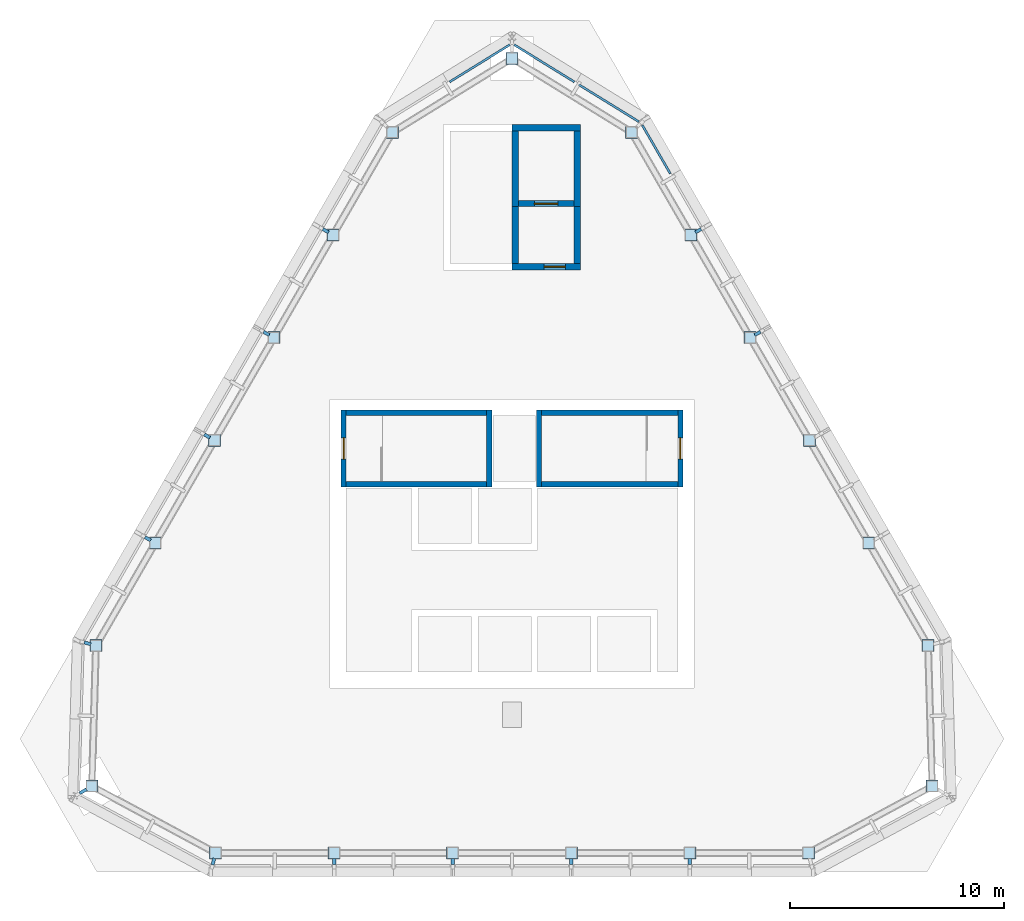
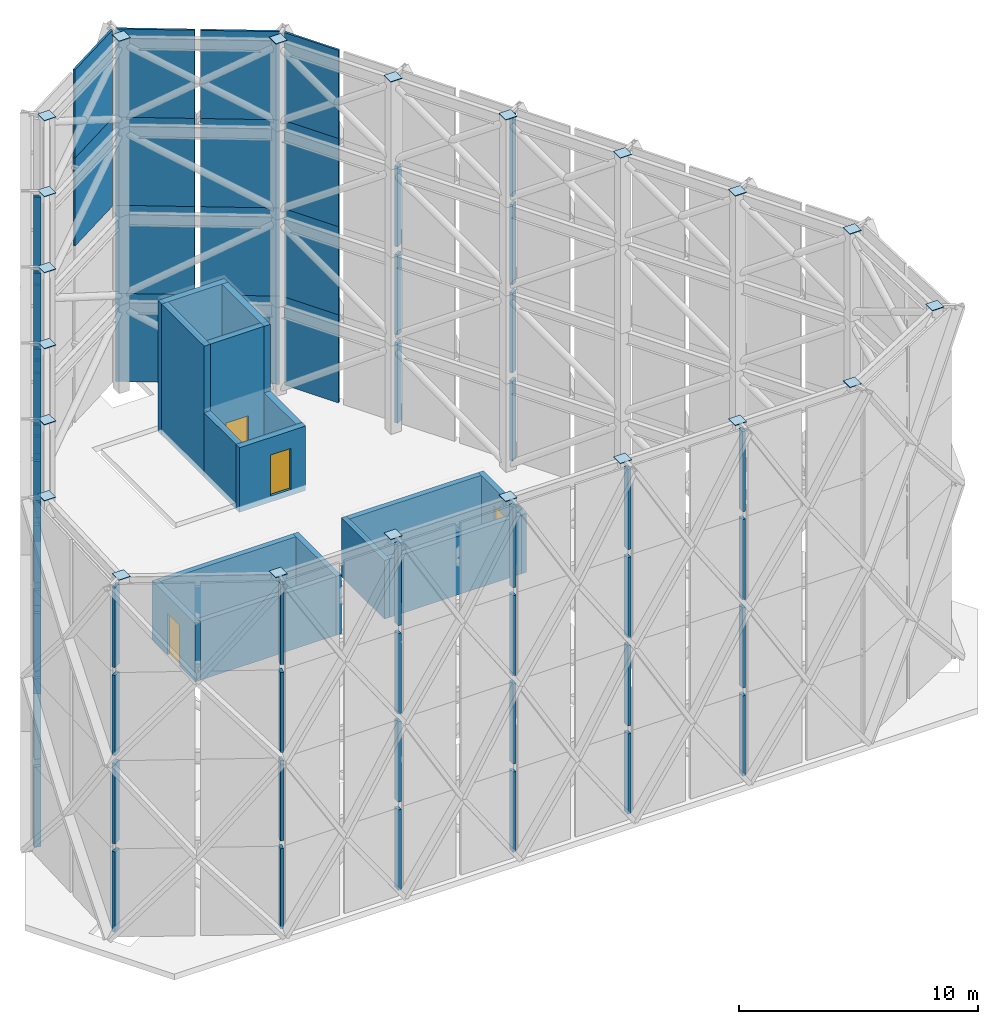
# One storey, part 10 of 12: 51 discrete accessories, 35 plates, 15 walls, 4 doors, 4 openings.
"""IFC4 building model written with IfcOpenShell, lengths in metres."""

from ifc_helpers import new_model, si_unit, direction, frame, frame_2d, origin, origin_2d, place, context, subcontext, project, spatial, polyline, rectangle, outline, extrude, material, layer, layer_set, type_object, element, fill, save


model = new_model("IFC4")

# Units and contexts
model_context = context("Model", 3, precision=1e-05, world=origin(), true_north=direction((0.0, 1.0)))
body_context = subcontext(model_context, "Body", "Model", "MODEL_VIEW")
ifc_project = project(units=[si_unit("LENGTHUNIT", "METRE"), si_unit("AREAUNIT", "SQUARE_METRE"), si_unit("VOLUMEUNIT", "CUBIC_METRE"), si_unit("PLANEANGLEUNIT", "RADIAN"), si_unit("MASSUNIT", "GRAM", prefix="KILO")], contexts=[model_context])

# Site, building, storey
site_placement = place(None, origin())
site = spatial("IfcSite", under=ifc_project, at=site_placement, CompositionType="ELEMENT")
building_placement = place(site_placement, origin())
building = spatial("IfcBuilding", under=site, at=building_placement, Name="Firuza Gate Tower and Library", CompositionType="ELEMENT")
storey_placement = place(building_placement, frame((0.0, 0.0, 339.60009765625)))
storey = spatial("IfcBuildingStorey", under=building, at=storey_placement, Name="Roof", CompositionType="ELEMENT", Elevation=339.60009765625)

# Plates
ifc_material_1 = material(Name="Perforated ceramic tile")
ifc_layer_1 = layer(ifc_material_1, 0.10009765625)
ifc_layer_set_1 = layer_set([ifc_layer_1], Name="Perforated ceramic SCREEN panel")
plate_type_1 = type_object("IfcPlateType", Name="Perforated ceramic SCREEN panel", PredefinedType="SHEET", material=ifc_layer_set_1)
plate_1_placement = place(storey_placement, frame((82.44287109375, 92.32373046875, 0.0), z_axis=(0.865998449813, 0.500046682742, 0.0), x_axis=(-0.500046682742, 0.865998449813, 0.0)))
element("IfcPlate", 1, at=plate_1_placement, inside=storey, type_object=plate_type_1, Name="SCREEN 1.14.2", PredefinedType="SHEET", context=body_context, shape_type="SweptSolid", body=[
    extrude(outline(polyline([(0.0, 0.0), (2.607178454520016, 0.0), (2.607178454520016, 4.5), (0.0, 4.5), (0.0, 0.0)])), origin(), (0.0, 0.0, -1.0), 0.10009765625),
])
for number, where, z_axis, x_axis, name in (
    (2, (80.9599609375, 94.76611328125, 0.0), (0.525098223737, 0.851041629668, 0.0), (-0.851041629668, 0.525098223737, 0.0), "SCREEN 1.15.1"),
    (3, (77.942138671875, 96.628173828125, 0.0), (0.525098223737, 0.851041629668, 0.0), (-0.851041629668, 0.525098223737, 0.0), "SCREEN 1.15.2"),
):
    element("IfcPlate", number, at=place(storey_placement, frame(where, z_axis=z_axis, x_axis=x_axis)), inside=storey, type_object=plate_type_1, Name=name, PredefinedType="SHEET", context=body_context, shape_type="SweptSolid", body=[
        extrude(outline(polyline([(0.0, 0.0), (3.306208069072124, 0.0), (3.306208069072124, 4.5), (0.0, 4.5), (0.0, 0.0)])), origin(), (0.0, 0.0, -1.0), 0.10009765625),
    ])
plate_2_placement = place(storey_placement, frame((82.44287109375, 92.32373046875, 4.5), z_axis=(0.865998449813, 0.500046682742, 0.0), x_axis=(-0.500046682742, 0.865998449813, 0.0)))
element("IfcPlate", 4, at=plate_2_placement, inside=storey, type_object=plate_type_1, Name="SCREEN 2.14.2", PredefinedType="SHEET", context=body_context, shape_type="SweptSolid", body=[
    extrude(outline(polyline([(0.0, 0.0), (2.607178454520016, 0.0), (2.607178454520016, 4.5), (0.0, 4.5), (0.0, 0.0)])), origin(), (0.0, 0.0, -1.0), 0.10009765625),
])
for number, where, z_axis, x_axis, name in (
    (5, (80.9599609375, 94.76611328125, 4.5), (0.525098223737, 0.851041629668, 0.0), (-0.851041629668, 0.525098223737, 0.0), "SCREEN 2.15.1"),
    (6, (77.942138671875, 96.628173828125, 4.5), (0.525098223737, 0.851041629668, 0.0), (-0.851041629668, 0.525098223737, 0.0), "SCREEN 2.15.2"),
):
    element("IfcPlate", number, at=place(storey_placement, frame(where, z_axis=z_axis, x_axis=x_axis)), inside=storey, type_object=plate_type_1, Name=name, PredefinedType="SHEET", context=body_context, shape_type="SweptSolid", body=[
        extrude(outline(polyline([(0.0, 0.0), (3.306208069072124, 0.0), (3.306208069072124, 4.5), (0.0, 4.5), (0.0, 0.0)])), origin(), (0.0, 0.0, -1.0), 0.10009765625),
    ])
plate_3_placement = place(storey_placement, frame((82.44287109375, 92.32373046875, 9.0), z_axis=(0.865998449813, 0.500046682742, 0.0), x_axis=(-0.500046682742, 0.865998449813, 0.0)))
element("IfcPlate", 7, at=plate_3_placement, inside=storey, type_object=plate_type_1, Name="SCREEN 3.14.2", PredefinedType="SHEET", context=body_context, shape_type="SweptSolid", body=[
    extrude(outline(polyline([(0.0, 0.0), (2.607178454520016, 0.0), (2.607178454520016, 4.5), (0.0, 4.5), (0.0, 0.0)])), origin(), (0.0, 0.0, -1.0), 0.10009765625),
])
for number, where, z_axis, x_axis, name in (
    (8, (80.9599609375, 94.76611328125, 9.0), (0.525098223737, 0.851041629668, 0.0), (-0.851041629668, 0.525098223737, 0.0), "SCREEN 3.15.1"),
    (9, (77.942138671875, 96.628173828125, 9.0), (0.525098223737, 0.851041629668, 0.0), (-0.851041629668, 0.525098223737, 0.0), "SCREEN 3.15.2"),
    (10, (74.87158203125, 98.3642578125, 9.0), (-0.525098223737, 0.851041629668, 0.0), (-0.851041629668, -0.525098223737, 0.0), "SCREEN 3.16.1"),
):
    element("IfcPlate", number, at=place(storey_placement, frame(where, z_axis=z_axis, x_axis=x_axis)), inside=storey, type_object=plate_type_1, Name=name, PredefinedType="SHEET", context=body_context, shape_type="SweptSolid", body=[
        extrude(outline(polyline([(0.0, 0.0), (3.306208069072124, 0.0), (3.306208069072124, 4.5), (0.0, 4.5), (0.0, 0.0)])), origin(), (0.0, 0.0, -1.0), 0.10009765625),
    ])
plate_4_placement = place(storey_placement, frame((82.44287109375, 92.32373046875, 13.5), z_axis=(0.865998449813, 0.500046682742, 0.0), x_axis=(-0.500046682742, 0.865998449813, 0.0)))
element("IfcPlate", 11, at=plate_4_placement, inside=storey, type_object=plate_type_1, Name="SCREEN 4.14.2", PredefinedType="SHEET", context=body_context, shape_type="SweptSolid", body=[
    extrude(outline(polyline([(0.0, 0.0), (2.607178454520016, 0.0), (2.607178454520016, 4.5), (0.0, 4.5), (0.0, 0.0)])), origin(), (0.0, 0.0, -1.0), 0.10009765625),
])
for number, where, z_axis, x_axis, name in (
    (12, (80.9599609375, 94.76611328125, 13.5), (0.525098223737, 0.851041629668, 0.0), (-0.851041629668, 0.525098223737, 0.0), "SCREEN 4.15.1"),
    (13, (77.942138671875, 96.628173828125, 13.5), (0.525098223737, 0.851041629668, 0.0), (-0.851041629668, 0.525098223737, 0.0), "SCREEN 4.15.2"),
    (14, (74.87158203125, 98.3642578125, 13.5), (-0.525098223737, 0.851041629668, 0.0), (-0.851041629668, -0.525098223737, 0.0), "SCREEN 4.16.1"),
):
    element("IfcPlate", number, at=place(storey_placement, frame(where, z_axis=z_axis, x_axis=x_axis)), inside=storey, type_object=plate_type_1, Name=name, PredefinedType="SHEET", context=body_context, shape_type="SweptSolid", body=[
        extrude(outline(polyline([(0.0, 0.0), (3.306208069072124, 0.0), (3.306208069072124, 4.5), (0.0, 4.5), (0.0, 0.0)])), origin(), (0.0, 0.0, -1.0), 0.10009765625),
    ])
ifc_material_2 = material(Name="Steel S355", Category="steel")
ifc_layer_2 = layer(ifc_material_2, 0.030029296875)
ifc_layer_set_2 = layer_set([ifc_layer_2], Name="Post end plate 560x560x30 Steel S355")
plate_type_2 = type_object("IfcPlateType", Name="Post end plate 560x560x30 Steel S355", PredefinedType="SHEET", material=ifc_layer_set_2)
for number, where, z_axis, x_axis, name in (
    (15, (55.55078125, 70.22802734375, 18.0), (0.0, 0.0, 1.0), (1.0, 0.0, 0.0), "Post end plate cf:post:W6:3"),
    (16, (55.35888671875, 63.66015625, 18.0), (0.0, 0.0, 1.0), (1.0, 0.0, 0.0), "Post end plate cf:post:mcSW:3"),
    (17, (61.142822265625, 60.54248046875, 18.0), (0.0, 0.0, 1.0), (1.0, 0.0, 0.0), "Post end plate cf:post:S1:3"),
    (18, (66.685791015625, 60.54248046875, 18.0), (0.0, 0.0, 1.0), (1.0, 0.0, 0.0), "Post end plate cf:post:S2:3"),
    (19, (72.228515625, 60.54248046875, 18.0), (0.0, 0.0, 1.0), (1.0, 0.0, 0.0), "Post end plate cf:post:S3:3"),
    (20, (77.771484375, 60.54248046875, 18.0), (0.0, 0.0, 1.0), (1.0, 0.0, 0.0), "Post end plate cf:post:S4:3"),
    (21, (83.314208984375, 60.54248046875, 18.0), (0.0, 0.0, 1.0), (1.0, 0.0, 0.0), "Post end plate cf:post:S5:3"),
    (22, (88.857177734375, 60.54248046875, 18.0), (0.0, 0.0, 1.0), (1.0, 0.0, 0.0), "Post end plate cf:post:S6:3"),
    (23, (94.64111328125, 63.66015625, 18.0), (0.0, 0.0, 1.0), (1.0, 0.0, 0.0), "Post end plate cf:post:mcSE:3"),
    (24, (94.44921875, 70.22802734375, 18.0), (0.0, 0.0, 1.0), (1.0, 0.0, 0.0), "Post end plate cf:post:E1:3"),
    (25, (91.677734375, 75.0283203125, 18.0), (0.0, 0.0, 1.0), (1.0, 0.0, 0.0), "Post end plate cf:post:E2:3"),
    (26, (88.90625, 79.82861328125, 18.0), (0.0, 0.0, 1.0), (1.0, 0.0, 0.0), "Post end plate cf:post:E3:3"),
    (27, (86.134765625, 84.62890625, 18.0), (0.0, 0.0, 1.0), (1.0, 0.0, 0.0), "Post end plate cf:post:E4:3"),
    (28, (83.363525390625, 89.42919921875, 18.0), (0.0, 0.0, 1.0), (1.0, 0.0, 0.0), "Post end plate cf:post:E5:3"),
    (29, (80.592041015625, 94.2294921875, 18.0), (0.0, 0.0, 1.0), (1.0, 0.0, 0.0), "Post end plate cf:post:E6:3"),
    (30, (75.0, 97.6796875, 18.0), (0.0, 0.0, 1.0), (1.0, 0.0, 0.0), "Post end plate cf:post:mcN:3"),
    (31, (69.407958984375, 94.2294921875, 18.0), (0.0, 0.0, 1.0), (1.0, 0.0, 0.0), "Post end plate cf:post:W1:3"),
    (32, (66.636474609375, 89.42919921875, 18.0), (0.0, 0.0, 1.0), (1.0, 0.0, 0.0), "Post end plate cf:post:W2:3"),
    (33, (63.865234375, 84.62890625, 18.0), (0.0, 0.0, 1.0), (1.0, 0.0, 0.0), "Post end plate cf:post:W3:3"),
    (34, (61.09375, 79.82861328125, 18.0), (0.0, 0.0, 1.0), (1.0, 0.0, 0.0), "Post end plate cf:post:W4:3"),
    (35, (58.322265625, 75.0283203125, 18.0), (0.0, 0.0, 1.0), (1.0, 0.0, 0.0), "Post end plate cf:post:W5:3"),
):
    element("IfcPlate", number, at=place(storey_placement, frame(where, z_axis=z_axis, x_axis=x_axis)), inside=storey, type_object=plate_type_2, Name=name, PredefinedType="SHEET", context=body_context, shape_type="SweptSolid", body=[
        extrude(rectangle(XDim=0.56005859375, YDim=0.56005859375, at=origin_2d()), origin(), (0.0, 0.0, 1.0), 0.030029296875),
    ])

# Wall, opening, door
ifc_material_3 = material(Name="Concrete C35/45", Category="concrete")
ifc_layer_3 = layer(ifc_material_3, 0.300048828125)
ifc_layer_set_3 = layer_set([ifc_layer_3], Name="Lift penthouse wall 300")
wall_type_1 = type_object("IfcWallType", Name="Lift penthouse wall 300", PredefinedType="SOLIDWALL", material=ifc_layer_set_3)
wall_1_placement = place(storey_placement, frame((75.0, 87.949951171875, -0.300048828125), z_axis=(0.0, 0.0, 1.0), x_axis=(1.0, 0.0, 0.0)))
wall_1 = element("IfcWall", 36, at=wall_1_placement, inside=storey, type_object=wall_type_1, Name="Roof service lift lobby wall S", PredefinedType="SOLIDWALL", context=body_context, shape_type="SweptSolid", body=[
    extrude(rectangle(XDim=3.199951171875, YDim=0.300048828125, at=frame_2d((1.60009765625, 0.0))), origin(), (0.0, 0.0, 1.0), 3.300048828125),
])
opening_1_placement = place(wall_1_placement, frame((1.5, 0.0, 0.300048828125)))
opening_1 = element("IfcOpeningElement", 37, at=opening_1_placement, cuts=wall_1, Name="Opening HH-SV1", PredefinedType="OPENING", context=body_context, shape_type="SweptSolid", body=[
    extrude(rectangle(XDim=1.0, YDim=2.10009765625, at=frame_2d((0.5, 1.050048828125))), frame((0.0, 0.16015625, 0.0), z_axis=(0.0, -1.0, 0.0), x_axis=(1.0, 0.0, 0.0)), (0.0, 0.0, 1.0), 0.320068359375),
])
ifc_material_4 = material(Name="Steel", Category="steel")
door_type_1 = type_object("IfcDoorType", Name="Fire door 1000x2100 FD90", OperationType="NOTDEFINED", PredefinedType="DOOR", material=ifc_material_4)
door_1_placement = place(opening_1_placement, origin())
door_1 = element("IfcDoor", 38, at=door_1_placement, inside=storey, type_object=door_type_1, Name="Roof service lobby door", OperationType="SINGLE_SWING_RIGHT", OverallHeight=2.10009765625, OverallWidth=1.0, PredefinedType="DOOR", context=body_context, shape_type="SweptSolid", body=[
    extrude(rectangle(XDim=1.0, YDim=2.10009765625, at=frame_2d((0.5, 1.050048828125))), frame((0.0, 0.02490234375, 0.0), z_axis=(0.0, -1.0, 0.0), x_axis=(1.0, 0.0, 0.0)), (0.0, 0.0, 1.0), 0.050048828125),
])
fill(opening_1, door_1)

# Wall
wall_2_placement = place(storey_placement, frame((75.0, 94.449951171875, -0.300048828125), z_axis=(0.0, 0.0, 1.0), x_axis=(1.0, 0.0, 0.0)))
element("IfcWall", 39, at=wall_2_placement, inside=storey, type_object=wall_type_1, Name="Roof service lift penthouse wall N", PredefinedType="SOLIDWALL", context=body_context, shape_type="SweptSolid", body=[
    extrude(rectangle(XDim=3.199951171875, YDim=0.300048828125, at=frame_2d((1.60009765625, 0.0))), origin(), (0.0, 0.0, 1.0), 6.699951171875),
])

# Wall, opening, door
wall_3_placement = place(storey_placement, frame((75.300048828125, 90.89990234375, -0.300048828125), z_axis=(0.0, 0.0, 1.0), x_axis=(1.0, 0.0, 0.0)))
wall_3 = element("IfcWall", 40, at=wall_3_placement, inside=storey, type_object=wall_type_1, Name="Roof service lift penthouse wall M", PredefinedType="SOLIDWALL", context=body_context, shape_type="SweptSolid", body=[
    extrude(rectangle(XDim=2.599853515625, YDim=0.300048828125, at=frame_2d((1.2998046875, 0.0))), origin(), (0.0, 0.0, 1.0), 6.699951171875),
])
opening_2_placement = place(wall_3_placement, frame((0.75, 0.0, 0.300048828125)))
opening_2 = element("IfcOpeningElement", 41, at=opening_2_placement, cuts=wall_3, Name="Opening LD-SV1-Roof", PredefinedType="OPENING", context=body_context, shape_type="SweptSolid", body=[
    extrude(rectangle(XDim=1.10009765625, YDim=2.10009765625, at=frame_2d((0.550048828125, 1.050048828125))), frame((0.0, 0.16015625, 0.0), z_axis=(0.0, -1.0, 0.0), x_axis=(1.0, 0.0, 0.0)), (0.0, 0.0, 1.0), 0.320068359375),
])
ifc_material_5 = material(Name="Stainless steel", Category="steel")
door_type_2 = type_object("IfcDoorType", Name="Lift landing door 1100x2100", OperationType="DOUBLE_DOOR_SLIDING", PredefinedType="DOOR", material=ifc_material_5)
door_2_placement = place(opening_2_placement, origin())
door_2 = element("IfcDoor", 42, at=door_2_placement, inside=storey, type_object=door_type_2, Name="Landing door SV1 Roof", OperationType="DOUBLE_DOOR_SLIDING", OverallHeight=2.10009765625, OverallWidth=1.10009765625, PredefinedType="DOOR", context=body_context, shape_type="SweptSolid", body=[
    extrude(rectangle(XDim=1.10009765625, YDim=2.10009765625, at=frame_2d((0.550048828125, 1.050048828125))), frame((0.0, 0.02490234375, 0.0), z_axis=(0.0, -1.0, 0.0), x_axis=(1.0, 0.0, 0.0)), (0.0, 0.0, 1.0), 0.050048828125),
])
fill(opening_2, door_2)

# Walls
for number, where, z_axis, x_axis, name in (
    (43, (75.14990234375, 88.10009765625, -0.300048828125), (0.0, 0.0, 1.0), (0.0, 1.0, 0.0), "Roof service lift lobby wall WL"),
    (44, (78.050048828125, 88.10009765625, -0.300048828125), (0.0, 0.0, 1.0), (0.0, 1.0, 0.0), "Roof service lift lobby wall EL"),
):
    element("IfcWall", number, at=place(storey_placement, frame(where, z_axis=z_axis, x_axis=x_axis)), inside=storey, type_object=wall_type_1, Name=name, PredefinedType="SOLIDWALL", context=body_context, shape_type="SweptSolid", body=[
        extrude(rectangle(XDim=2.64990234375, YDim=0.300048828125, at=frame_2d((1.324951171875, 0.0))), origin(), (0.0, 0.0, 1.0), 3.300048828125),
    ])
for number, where, z_axis, x_axis, name in (
    (45, (75.14990234375, 90.75, -0.300048828125), (0.0, 0.0, 1.0), (0.0, 1.0, 0.0), "Roof service lift penthouse wall WS"),
    (46, (78.050048828125, 90.75, -0.300048828125), (0.0, 0.0, 1.0), (0.0, 1.0, 0.0), "Roof service lift penthouse wall ES"),
):
    element("IfcWall", number, at=place(storey_placement, frame(where, z_axis=z_axis, x_axis=x_axis)), inside=storey, type_object=wall_type_1, Name=name, PredefinedType="SOLIDWALL", context=body_context, shape_type="SweptSolid", body=[
        extrude(rectangle(XDim=3.550048828125, YDim=0.300048828125, at=frame_2d((1.77490234375, 0.0))), origin(), (0.0, 0.0, 1.0), 6.699951171875),
    ])

# Wall, opening, door
ifc_material_6 = material(Name="Concrete C35/45", Category="concrete")
ifc_layer_4 = layer(ifc_material_6, 0.25)
ifc_layer_set_4 = layer_set([ifc_layer_4], Name="Stair head-house wall 250")
wall_type_2 = type_object("IfcWallType", Name="Stair head-house wall 250", PredefinedType="SOLIDWALL", material=ifc_layer_set_4)
wall_4_placement = place(storey_placement, frame((67.125, 77.64990234375, 0.0), z_axis=(0.0, 0.0, 1.0), x_axis=(0.0, 1.0, 0.0)))
wall_4 = element("IfcWall", 47, at=wall_4_placement, inside=storey, type_object=wall_type_2, Name="Stair ST1 head-house wall W", PredefinedType="SOLIDWALL", context=body_context, shape_type="SweptSolid", body=[
    extrude(rectangle(XDim=3.60009765625, YDim=0.25, at=frame_2d((1.800048828125, 0.0))), origin(), (0.0, 0.0, 1.0), 3.0),
])
opening_3_placement = place(wall_4_placement, frame((1.300048828125, 0.0, 0.0)))
opening_3 = element("IfcOpeningElement", 48, at=opening_3_placement, cuts=wall_4, Name="Opening HH-ST1", PredefinedType="OPENING", context=body_context, shape_type="SweptSolid", body=[
    extrude(rectangle(XDim=1.0, YDim=2.10009765625, at=frame_2d((0.5, 1.050048828125))), frame((0.0, 0.135009765625, 0.0), z_axis=(0.0, -1.0, 0.0), x_axis=(1.0, 0.0, 0.0)), (0.0, 0.0, 1.0), 0.27001953125),
])
door_3_placement = place(opening_3_placement, origin())
door_3 = element("IfcDoor", 49, at=door_3_placement, inside=storey, type_object=door_type_1, Name="Stair ST1 roof door", OperationType="SINGLE_SWING_LEFT", OverallHeight=2.10009765625, OverallWidth=1.0, PredefinedType="DOOR", context=body_context, shape_type="SweptSolid", body=[
    extrude(rectangle(XDim=1.0, YDim=2.10009765625, at=frame_2d((0.5, 1.050048828125))), frame((0.0, 0.02490234375, 0.0), z_axis=(0.0, -1.0, 0.0), x_axis=(1.0, 0.0, 0.0)), (0.0, 0.0, 1.0), 0.050048828125),
])
fill(opening_3, door_3)

# Walls
wall_5_placement = place(storey_placement, frame((73.93505859375, 77.64990234375, 0.0), z_axis=(0.0, 0.0, 1.0), x_axis=(0.0, 1.0, 0.0)))
element("IfcWall", 50, at=wall_5_placement, inside=storey, type_object=wall_type_2, Name="Stair ST1 head-house wall E", PredefinedType="SOLIDWALL", context=body_context, shape_type="SweptSolid", body=[
    extrude(rectangle(XDim=3.60009765625, YDim=0.25, at=frame_2d((1.800048828125, 0.0))), origin(), (0.0, 0.0, 1.0), 3.0),
])
for number, where, z_axis, x_axis, name in (
    (51, (67.25, 77.77490234375, 0.0), (0.0, 0.0, 1.0), (1.0, 0.0, 0.0), "Stair ST1 head-house wall S"),
    (52, (67.25, 81.125, 0.0), (0.0, 0.0, 1.0), (1.0, 0.0, 0.0), "Stair ST1 head-house wall N"),
):
    element("IfcWall", number, at=place(storey_placement, frame(where, z_axis=z_axis, x_axis=x_axis)), inside=storey, type_object=wall_type_2, Name=name, PredefinedType="SOLIDWALL", context=body_context, shape_type="SweptSolid", body=[
        extrude(rectangle(XDim=6.56005859375, YDim=0.25, at=frame_2d((3.280029296875, 0.0))), origin(), (0.0, 0.0, 1.0), 3.0),
    ])
wall_6_placement = place(storey_placement, frame((76.264892578125, 77.64990234375, 0.0), z_axis=(0.0, 0.0, 1.0), x_axis=(0.0, 1.0, 0.0)))
element("IfcWall", 53, at=wall_6_placement, inside=storey, type_object=wall_type_2, Name="Stair ST2 head-house wall W", PredefinedType="SOLIDWALL", context=body_context, shape_type="SweptSolid", body=[
    extrude(rectangle(XDim=3.60009765625, YDim=0.25, at=frame_2d((1.800048828125, 0.0))), origin(), (0.0, 0.0, 1.0), 3.0),
])

# Wall, opening, door
wall_7_placement = place(storey_placement, frame((82.875, 77.64990234375, 0.0), z_axis=(0.0, 0.0, 1.0), x_axis=(0.0, 1.0, 0.0)))
wall_7 = element("IfcWall", 54, at=wall_7_placement, inside=storey, type_object=wall_type_2, Name="Stair ST2 head-house wall E", PredefinedType="SOLIDWALL", context=body_context, shape_type="SweptSolid", body=[
    extrude(rectangle(XDim=3.60009765625, YDim=0.25, at=frame_2d((1.800048828125, 0.0))), origin(), (0.0, 0.0, 1.0), 3.0),
])
opening_4_placement = place(wall_7_placement, frame((1.300048828125, 0.0, 0.0)))
opening_4 = element("IfcOpeningElement", 55, at=opening_4_placement, cuts=wall_7, Name="Opening HH-ST2", PredefinedType="OPENING", context=body_context, shape_type="SweptSolid", body=[
    extrude(rectangle(XDim=1.0, YDim=2.10009765625, at=frame_2d((0.5, 1.050048828125))), frame((0.0, 0.135009765625, 0.0), z_axis=(0.0, -1.0, 0.0), x_axis=(1.0, 0.0, 0.0)), (0.0, 0.0, 1.0), 0.27001953125),
])
door_4_placement = place(opening_4_placement, origin())
door_4 = element("IfcDoor", 56, at=door_4_placement, inside=storey, type_object=door_type_1, Name="Stair ST2 roof door", OperationType="SINGLE_SWING_LEFT", OverallHeight=2.10009765625, OverallWidth=1.0, PredefinedType="DOOR", context=body_context, shape_type="SweptSolid", body=[
    extrude(rectangle(XDim=1.0, YDim=2.10009765625, at=frame_2d((0.5, 1.050048828125))), frame((0.0, 0.02490234375, 0.0), z_axis=(0.0, -1.0, 0.0), x_axis=(1.0, 0.0, 0.0)), (0.0, 0.0, 1.0), 0.050048828125),
])
fill(opening_4, door_4)

# Walls
for number, where, z_axis, x_axis, name in (
    (57, (76.389892578125, 77.77490234375, 0.0), (0.0, 0.0, 1.0), (1.0, 0.0, 0.0), "Stair ST2 head-house wall S"),
    (58, (76.389892578125, 81.125, 0.0), (0.0, 0.0, 1.0), (1.0, 0.0, 0.0), "Stair ST2 head-house wall N"),
):
    element("IfcWall", number, at=place(storey_placement, frame(where, z_axis=z_axis, x_axis=x_axis)), inside=storey, type_object=wall_type_2, Name=name, PredefinedType="SOLIDWALL", context=body_context, shape_type="SweptSolid", body=[
        extrude(rectangle(XDim=6.360107421875, YDim=0.25, at=frame_2d((3.18017578125, 0.0))), origin(), (0.0, 0.0, 1.0), 3.0),
    ])

# Discrete accessories
ifc_material_7 = material(Name="Steel S355", Category="steel")
discrete_accessory_type = type_object("IfcDiscreteAccessoryType", Name="Screen bracket", PredefinedType="BRACKET", material=ifc_material_7)
discrete_accessory_1_placement = place(storey_placement, frame((55.1533203125, 70.3408203125, 0.199951171875), z_axis=(0.0, 0.0, 1.0), x_axis=(-0.962040790283, 0.272905694026, 0.0)))
element("IfcDiscreteAccessory", 59, at=discrete_accessory_1_placement, inside=storey, type_object=discrete_accessory_type, Name="Screen bracket 1.1", PredefinedType="BRACKET", context=body_context, shape_type="SweptSolid", body=[
    extrude(rectangle(XDim=0.31103515625, YDim=0.14990234375, at=origin_2d()), origin(), (0.0, 0.0, 1.0), 4.10009765625),
])
discrete_accessory_2_placement = place(storey_placement, frame((54.947998046875, 63.423095703125, 0.199951171875), z_axis=(0.0, 0.0, 1.0), x_axis=(-0.866025368878, -0.50000006046, 0.0)))
element("IfcDiscreteAccessory", 60, at=discrete_accessory_2_placement, inside=storey, type_object=discrete_accessory_type, Name="Screen bracket 1.2", PredefinedType="BRACKET", context=body_context, shape_type="SweptSolid", body=[
    extrude(rectangle(XDim=0.361328125, YDim=0.14990234375, at=origin_2d()), origin(), (0.0, 0.0, 1.0), 4.10009765625),
])
discrete_accessory_3_placement = place(storey_placement, frame((61.041748046875, 60.1416015625, 0.199951171875), z_axis=(0.0, 0.0, 1.0), x_axis=(-0.244677097432, -0.969604619416, 0.0)))
element("IfcDiscreteAccessory", 61, at=discrete_accessory_3_placement, inside=storey, type_object=discrete_accessory_type, Name="Screen bracket 1.3", PredefinedType="BRACKET", context=body_context, shape_type="SweptSolid", body=[
    extrude(rectangle(XDim=0.31103515625, YDim=0.14990234375, at=origin_2d()), origin(), (0.0, 0.0, 1.0), 4.10009765625),
])
for number, where, z_axis, x_axis, name in (
    (62, (66.685791015625, 60.142578125, 0.199951171875), (0.0, 0.0, 1.0), (0.0, -1.0, 0.0), "Screen bracket 1.4"),
    (63, (72.228515625, 60.142578125, 0.199951171875), (0.0, 0.0, 1.0), (0.0, -1.0, 0.0), "Screen bracket 1.5"),
    (64, (77.771484375, 60.142578125, 0.199951171875), (0.0, 0.0, 1.0), (0.0, -1.0, 0.0), "Screen bracket 1.6"),
    (65, (83.314208984375, 60.142578125, 0.199951171875), (0.0, 0.0, 1.0), (0.0, -1.0, 0.0), "Screen bracket 1.7"),
    (66, (86.481201171875, 84.828857421875, 0.199951171875), (0.0, 0.0, 1.0), (0.866025403784, 0.5, 0.0), "Screen bracket 1.13"),
    (67, (83.7099609375, 89.629150390625, 0.199951171875), (0.0, 0.0, 1.0), (0.866025403784, 0.5, 0.0), "Screen bracket 1.14"),
    (68, (66.2900390625, 89.629150390625, 0.199951171875), (0.0, 0.0, 1.0), (-0.866025403784, 0.5, 0.0), "Screen bracket 1.18"),
    (69, (63.518798828125, 84.828857421875, 0.199951171875), (0.0, 0.0, 1.0), (-0.866025403784, 0.5, 0.0), "Screen bracket 1.19"),
    (70, (60.747314453125, 80.028564453125, 0.199951171875), (0.0, 0.0, 1.0), (-0.866025403784, 0.5, 0.0), "Screen bracket 1.20"),
    (71, (57.975830078125, 75.228271484375, 0.199951171875), (0.0, 0.0, 1.0), (-0.866025368878, 0.50000006046, 0.0), "Screen bracket 1.21"),
):
    element("IfcDiscreteAccessory", number, at=place(storey_placement, frame(where, z_axis=z_axis, x_axis=x_axis)), inside=storey, type_object=discrete_accessory_type, Name=name, PredefinedType="BRACKET", context=body_context, shape_type="SweptSolid", body=[
        extrude(rectangle(XDim=0.300048828125, YDim=0.14990234375, at=origin_2d()), origin(), (0.0, 0.0, 1.0), 4.10009765625),
    ])
discrete_accessory_4_placement = place(storey_placement, frame((55.1533203125, 70.3408203125, 4.699951171875), z_axis=(0.0, 0.0, 1.0), x_axis=(-0.962040790283, 0.272905694026, 0.0)))
element("IfcDiscreteAccessory", 72, at=discrete_accessory_4_placement, inside=storey, type_object=discrete_accessory_type, Name="Screen bracket 2.1", PredefinedType="BRACKET", context=body_context, shape_type="SweptSolid", body=[
    extrude(rectangle(XDim=0.31103515625, YDim=0.14990234375, at=origin_2d()), origin(), (0.0, 0.0, 1.0), 4.10009765625),
])
discrete_accessory_5_placement = place(storey_placement, frame((54.947998046875, 63.423095703125, 4.699951171875), z_axis=(0.0, 0.0, 1.0), x_axis=(-0.866025368878, -0.50000006046, 0.0)))
element("IfcDiscreteAccessory", 73, at=discrete_accessory_5_placement, inside=storey, type_object=discrete_accessory_type, Name="Screen bracket 2.2", PredefinedType="BRACKET", context=body_context, shape_type="SweptSolid", body=[
    extrude(rectangle(XDim=0.361328125, YDim=0.14990234375, at=origin_2d()), origin(), (0.0, 0.0, 1.0), 4.10009765625),
])
discrete_accessory_6_placement = place(storey_placement, frame((61.041748046875, 60.1416015625, 4.699951171875), z_axis=(0.0, 0.0, 1.0), x_axis=(-0.244677097432, -0.969604619416, 0.0)))
element("IfcDiscreteAccessory", 74, at=discrete_accessory_6_placement, inside=storey, type_object=discrete_accessory_type, Name="Screen bracket 2.3", PredefinedType="BRACKET", context=body_context, shape_type="SweptSolid", body=[
    extrude(rectangle(XDim=0.31103515625, YDim=0.14990234375, at=origin_2d()), origin(), (0.0, 0.0, 1.0), 4.10009765625),
])
for number, where, z_axis, x_axis, name in (
    (75, (66.685791015625, 60.142578125, 4.699951171875), (0.0, 0.0, 1.0), (0.0, -1.0, 0.0), "Screen bracket 2.4"),
    (76, (72.228515625, 60.142578125, 4.699951171875), (0.0, 0.0, 1.0), (0.0, -1.0, 0.0), "Screen bracket 2.5"),
    (77, (77.771484375, 60.142578125, 4.699951171875), (0.0, 0.0, 1.0), (0.0, -1.0, 0.0), "Screen bracket 2.6"),
    (78, (83.314208984375, 60.142578125, 4.699951171875), (0.0, 0.0, 1.0), (0.0, -1.0, 0.0), "Screen bracket 2.7"),
    (79, (86.481201171875, 84.828857421875, 4.699951171875), (0.0, 0.0, 1.0), (0.866025403784, 0.5, 0.0), "Screen bracket 2.13"),
    (80, (83.7099609375, 89.629150390625, 4.699951171875), (0.0, 0.0, 1.0), (0.866025403784, 0.5, 0.0), "Screen bracket 2.14"),
    (81, (66.2900390625, 89.629150390625, 4.699951171875), (0.0, 0.0, 1.0), (-0.866025403784, 0.5, 0.0), "Screen bracket 2.18"),
    (82, (63.518798828125, 84.828857421875, 4.699951171875), (0.0, 0.0, 1.0), (-0.866025403784, 0.5, 0.0), "Screen bracket 2.19"),
    (83, (60.747314453125, 80.028564453125, 4.699951171875), (0.0, 0.0, 1.0), (-0.866025403784, 0.5, 0.0), "Screen bracket 2.20"),
    (84, (57.975830078125, 75.228271484375, 4.699951171875), (0.0, 0.0, 1.0), (-0.866025368878, 0.50000006046, 0.0), "Screen bracket 2.21"),
):
    element("IfcDiscreteAccessory", number, at=place(storey_placement, frame(where, z_axis=z_axis, x_axis=x_axis)), inside=storey, type_object=discrete_accessory_type, Name=name, PredefinedType="BRACKET", context=body_context, shape_type="SweptSolid", body=[
        extrude(rectangle(XDim=0.300048828125, YDim=0.14990234375, at=origin_2d()), origin(), (0.0, 0.0, 1.0), 4.10009765625),
    ])
discrete_accessory_7_placement = place(storey_placement, frame((55.1533203125, 70.3408203125, 9.199951171875), z_axis=(0.0, 0.0, 1.0), x_axis=(-0.962040790283, 0.272905694026, 0.0)))
element("IfcDiscreteAccessory", 85, at=discrete_accessory_7_placement, inside=storey, type_object=discrete_accessory_type, Name="Screen bracket 3.1", PredefinedType="BRACKET", context=body_context, shape_type="SweptSolid", body=[
    extrude(rectangle(XDim=0.31103515625, YDim=0.14990234375, at=origin_2d()), origin(), (0.0, 0.0, 1.0), 4.10009765625),
])
discrete_accessory_8_placement = place(storey_placement, frame((54.947998046875, 63.423095703125, 9.199951171875), z_axis=(0.0, 0.0, 1.0), x_axis=(-0.866025368878, -0.50000006046, 0.0)))
element("IfcDiscreteAccessory", 86, at=discrete_accessory_8_placement, inside=storey, type_object=discrete_accessory_type, Name="Screen bracket 3.2", PredefinedType="BRACKET", context=body_context, shape_type="SweptSolid", body=[
    extrude(rectangle(XDim=0.361328125, YDim=0.14990234375, at=origin_2d()), origin(), (0.0, 0.0, 1.0), 4.10009765625),
])
discrete_accessory_9_placement = place(storey_placement, frame((61.041748046875, 60.1416015625, 9.199951171875), z_axis=(0.0, 0.0, 1.0), x_axis=(-0.244677097432, -0.969604619416, 0.0)))
element("IfcDiscreteAccessory", 87, at=discrete_accessory_9_placement, inside=storey, type_object=discrete_accessory_type, Name="Screen bracket 3.3", PredefinedType="BRACKET", context=body_context, shape_type="SweptSolid", body=[
    extrude(rectangle(XDim=0.31103515625, YDim=0.14990234375, at=origin_2d()), origin(), (0.0, 0.0, 1.0), 4.10009765625),
])
for number, where, z_axis, x_axis, name in (
    (88, (66.685791015625, 60.142578125, 9.199951171875), (0.0, 0.0, 1.0), (0.0, -1.0, 0.0), "Screen bracket 3.4"),
    (89, (72.228515625, 60.142578125, 9.199951171875), (0.0, 0.0, 1.0), (0.0, -1.0, 0.0), "Screen bracket 3.5"),
    (90, (77.771484375, 60.142578125, 9.199951171875), (0.0, 0.0, 1.0), (0.0, -1.0, 0.0), "Screen bracket 3.6"),
    (91, (83.314208984375, 60.142578125, 9.199951171875), (0.0, 0.0, 1.0), (0.0, -1.0, 0.0), "Screen bracket 3.7"),
    (92, (86.481201171875, 84.828857421875, 9.199951171875), (0.0, 0.0, 1.0), (0.866025403784, 0.5, 0.0), "Screen bracket 3.13"),
    (93, (83.7099609375, 89.629150390625, 9.199951171875), (0.0, 0.0, 1.0), (0.866025403784, 0.5, 0.0), "Screen bracket 3.14"),
    (94, (66.2900390625, 89.629150390625, 9.199951171875), (0.0, 0.0, 1.0), (-0.866025403784, 0.5, 0.0), "Screen bracket 3.18"),
    (95, (63.518798828125, 84.828857421875, 9.199951171875), (0.0, 0.0, 1.0), (-0.866025403784, 0.5, 0.0), "Screen bracket 3.19"),
    (96, (60.747314453125, 80.028564453125, 9.199951171875), (0.0, 0.0, 1.0), (-0.866025403784, 0.5, 0.0), "Screen bracket 3.20"),
    (97, (57.975830078125, 75.228271484375, 9.199951171875), (0.0, 0.0, 1.0), (-0.866025368878, 0.50000006046, 0.0), "Screen bracket 3.21"),
):
    element("IfcDiscreteAccessory", number, at=place(storey_placement, frame(where, z_axis=z_axis, x_axis=x_axis)), inside=storey, type_object=discrete_accessory_type, Name=name, PredefinedType="BRACKET", context=body_context, shape_type="SweptSolid", body=[
        extrude(rectangle(XDim=0.300048828125, YDim=0.14990234375, at=origin_2d()), origin(), (0.0, 0.0, 1.0), 4.10009765625),
    ])
discrete_accessory_10_placement = place(storey_placement, frame((55.1533203125, 70.3408203125, 13.699951171875), z_axis=(0.0, 0.0, 1.0), x_axis=(-0.962040790283, 0.272905694026, 0.0)))
element("IfcDiscreteAccessory", 98, at=discrete_accessory_10_placement, inside=storey, type_object=discrete_accessory_type, Name="Screen bracket 4.1", PredefinedType="BRACKET", context=body_context, shape_type="SweptSolid", body=[
    extrude(rectangle(XDim=0.31103515625, YDim=0.14990234375, at=origin_2d()), origin(), (0.0, 0.0, 1.0), 4.10009765625),
])
discrete_accessory_11_placement = place(storey_placement, frame((54.947998046875, 63.423095703125, 13.699951171875), z_axis=(0.0, 0.0, 1.0), x_axis=(-0.866025368878, -0.50000006046, 0.0)))
element("IfcDiscreteAccessory", 99, at=discrete_accessory_11_placement, inside=storey, type_object=discrete_accessory_type, Name="Screen bracket 4.2", PredefinedType="BRACKET", context=body_context, shape_type="SweptSolid", body=[
    extrude(rectangle(XDim=0.361328125, YDim=0.14990234375, at=origin_2d()), origin(), (0.0, 0.0, 1.0), 4.10009765625),
])
discrete_accessory_12_placement = place(storey_placement, frame((61.041748046875, 60.1416015625, 13.699951171875), z_axis=(0.0, 0.0, 1.0), x_axis=(-0.244677097432, -0.969604619416, 0.0)))
element("IfcDiscreteAccessory", 100, at=discrete_accessory_12_placement, inside=storey, type_object=discrete_accessory_type, Name="Screen bracket 4.3", PredefinedType="BRACKET", context=body_context, shape_type="SweptSolid", body=[
    extrude(rectangle(XDim=0.31103515625, YDim=0.14990234375, at=origin_2d()), origin(), (0.0, 0.0, 1.0), 4.10009765625),
])
for number, where, z_axis, x_axis, name in (
    (101, (66.685791015625, 60.142578125, 13.699951171875), (0.0, 0.0, 1.0), (0.0, -1.0, 0.0), "Screen bracket 4.4"),
    (102, (72.228515625, 60.142578125, 13.699951171875), (0.0, 0.0, 1.0), (0.0, -1.0, 0.0), "Screen bracket 4.5"),
    (103, (77.771484375, 60.142578125, 13.699951171875), (0.0, 0.0, 1.0), (0.0, -1.0, 0.0), "Screen bracket 4.6"),
    (104, (83.314208984375, 60.142578125, 13.699951171875), (0.0, 0.0, 1.0), (0.0, -1.0, 0.0), "Screen bracket 4.7"),
    (105, (86.481201171875, 84.828857421875, 13.699951171875), (0.0, 0.0, 1.0), (0.866025403784, 0.5, 0.0), "Screen bracket 4.13"),
    (106, (66.2900390625, 89.629150390625, 13.699951171875), (0.0, 0.0, 1.0), (-0.866025403784, 0.5, 0.0), "Screen bracket 4.18"),
    (107, (63.518798828125, 84.828857421875, 13.699951171875), (0.0, 0.0, 1.0), (-0.866025403784, 0.5, 0.0), "Screen bracket 4.19"),
    (108, (60.747314453125, 80.028564453125, 13.699951171875), (0.0, 0.0, 1.0), (-0.866025403784, 0.5, 0.0), "Screen bracket 4.20"),
    (109, (57.975830078125, 75.228271484375, 13.699951171875), (0.0, 0.0, 1.0), (-0.866025368878, 0.50000006046, 0.0), "Screen bracket 4.21"),
):
    element("IfcDiscreteAccessory", number, at=place(storey_placement, frame(where, z_axis=z_axis, x_axis=x_axis)), inside=storey, type_object=discrete_accessory_type, Name=name, PredefinedType="BRACKET", context=body_context, shape_type="SweptSolid", body=[
        extrude(rectangle(XDim=0.300048828125, YDim=0.14990234375, at=origin_2d()), origin(), (0.0, 0.0, 1.0), 4.10009765625),
    ])

save(model, "model.ifc")
